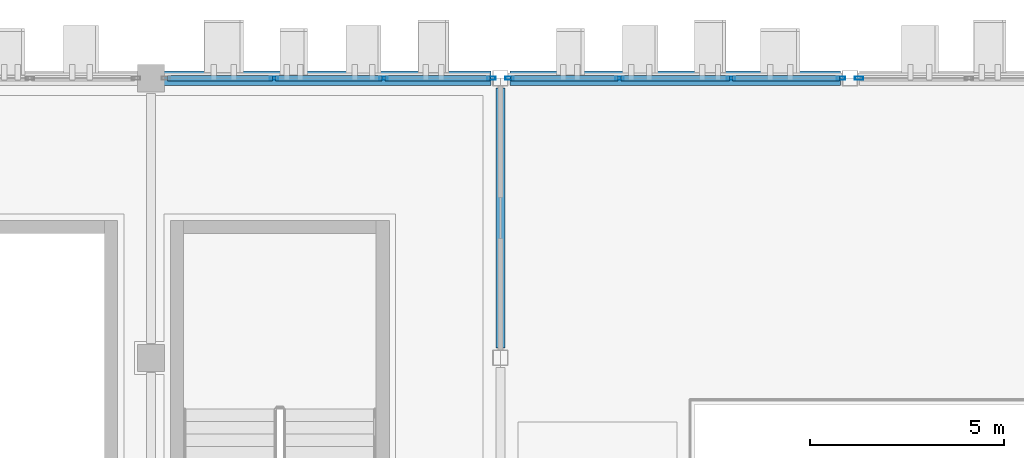
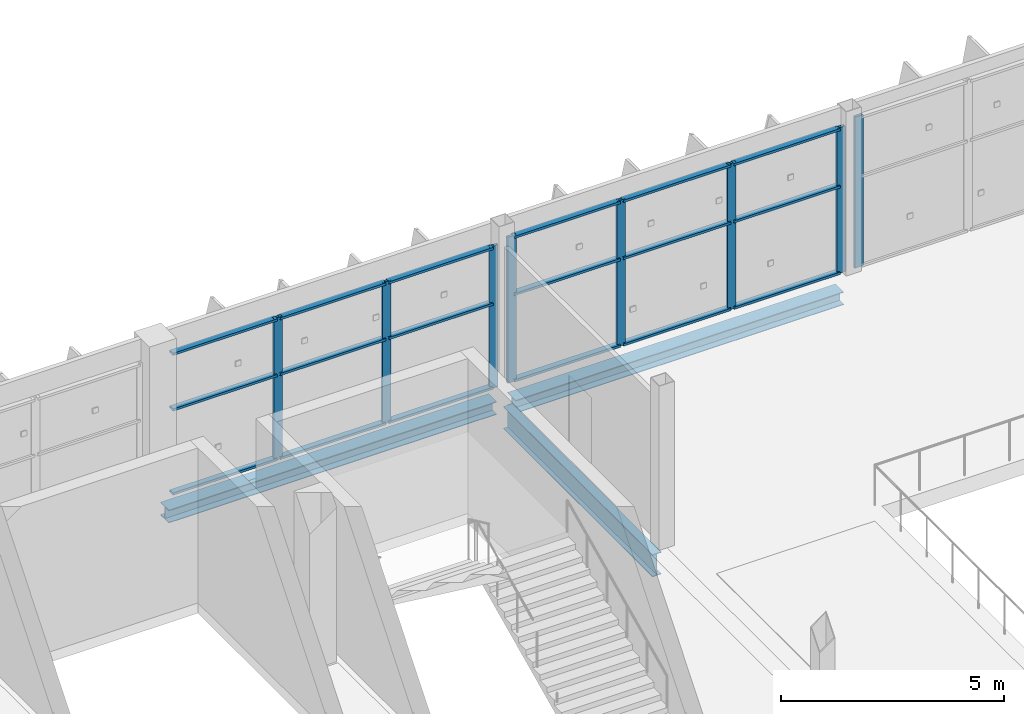
# One storey, part 80 of 151: 26 members, 3 beams, 3 elements without a shape of their own.
"""IFC4 building model written with IfcOpenShell, lengths in metres."""

from ifc_helpers import new_model, si_unit, direction, frame, origin, origin_2d, place, context, subcontext, project, spatial, hollow_rectangle, i_section, extrude, material, layer, layer_set, material_profile, profile_set, type_object, element, aggregate, save


model = new_model("IFC4")

# Units and contexts
model_context = context("Model", 3, precision=1e-05, world=origin(), true_north=direction((0.0, 1.0)))
body_context = subcontext(model_context, "Body", "Model", "MODEL_VIEW")
ifc_project = project(units=[si_unit("LENGTHUNIT", "METRE"), si_unit("AREAUNIT", "SQUARE_METRE"), si_unit("VOLUMEUNIT", "CUBIC_METRE"), si_unit("PLANEANGLEUNIT", "RADIAN"), si_unit("MASSUNIT", "GRAM", prefix="KILO")], contexts=[model_context])

# Site, building, storey
site_placement = place(None, origin())
site = spatial("IfcSite", under=ifc_project, at=site_placement, CompositionType="ELEMENT")
building_placement = place(site_placement, origin())
building = spatial("IfcBuilding", under=site, at=building_placement, Name="Celestram Park Convention Centre", CompositionType="ELEMENT")
storey_placement = place(building_placement, frame((0.0, 0.0, 10.800048828125)))
storey = spatial("IfcBuildingStorey", under=building, at=storey_placement, Name="L02", CompositionType="ELEMENT", Elevation=10.800048828125)

# Curtain wall, members
ifc_material_1 = material(Name="Anodised Aluminium Alloy 6063-T6", Category="aluminium")
ifc_layer_1 = layer(ifc_material_1, 0.179931640625)
ifc_layer_set_1 = layer_set([ifc_layer_1], Name="Anodised Aluminium Alloy 6063-T6")
curtain_wall_type_1 = type_object("IfcCurtainWallType", Name="ARC-CW-845X389", PredefinedType="NOTDEFINED", material=ifc_layer_set_1)
curtain_wall_1_placement = place(storey_placement, origin())
curtain_wall_1 = element("IfcCurtainWall", 1, at=curtain_wall_1_placement, inside=storey, type_object=curtain_wall_type_1, Name="Unitised curtain wall CU-L02-162", PredefinedType="NOTDEFINED")
ifc_material_profile_1 = material_profile(ifc_material_1, hollow_rectangle(XDim=0.074951171875, YDim=0.219970703125, WallThickness=0.00390625, at=origin_2d()), Name="ALU75X220X4")
ifc_profile_set_1 = profile_set([ifc_material_profile_1], Name="Anodised Aluminium Alloy 6063-T6")
member_type_1 = type_object("IfcMemberType", Name="ARC-CWM-180", PredefinedType="MULLION", material=ifc_profile_set_1)
member_1_placement = place(storey_placement, frame((147.166015625, 165.60009765625, 0.0), z_axis=(0.0, 0.0, 1.0), x_axis=(0.0, 1.0, 0.0)))
member_1 = element("IfcMember", 2, at=member_1_placement, type_object=member_type_1, Name="CW-84X38 mullion 2", PredefinedType="MULLION", context=body_context, shape_type="SweptSolid", body=[
    extrude(hollow_rectangle(XDim=0.074951171875, YDim=0.219970703125, WallThickness=0.00390625, at=origin_2d()), origin(), (0.0, 0.0, 1.0), 3.89404296875),
])
member_2_placement = place(storey_placement, frame((149.98388671875, 165.60009765625, 0.0), z_axis=(0.0, 0.0, 1.0), x_axis=(0.0, 1.0, 0.0)))
member_2 = element("IfcMember", 3, at=member_2_placement, type_object=member_type_1, Name="CW-84X38 mullion 3", PredefinedType="MULLION", context=body_context, shape_type="SweptSolid", body=[
    extrude(hollow_rectangle(XDim=0.074951171875, YDim=0.219970703125, WallThickness=0.00390625, at=origin_2d()), origin(), (0.0, 0.0, 1.0), 3.89404296875),
])
member_3_placement = place(storey_placement, frame((152.764404296875, 165.60009765625, 0.0), z_axis=(0.0, 0.0, 1.0), x_axis=(0.0, 1.0, 0.0)))
member_3 = element("IfcMember", 4, at=member_3_placement, type_object=member_type_1, Name="CW-84X38 mullion 4", PredefinedType="MULLION", context=body_context, shape_type="SweptSolid", body=[
    extrude(hollow_rectangle(XDim=0.074951171875, YDim=0.219970703125, WallThickness=0.00390625, at=origin_2d()), origin(), (0.0, 0.0, 1.0), 3.89404296875),
])

ifc_layer_2 = layer(ifc_material_1, 0.179931640625)
ifc_layer_set_2 = layer_set([ifc_layer_2], Name="Anodised Aluminium Alloy 6063-T6")
curtain_wall_type_2 = type_object("IfcCurtainWallType", Name="ARC-CW-860X400", PredefinedType="NOTDEFINED", material=ifc_layer_set_2)
curtain_wall_2_placement = place(storey_placement, origin())
curtain_wall_2 = element("IfcCurtainWall", 5, at=curtain_wall_2_placement, inside=storey, type_object=curtain_wall_type_2, Name="Unitised curtain wall CU-L02-163", PredefinedType="NOTDEFINED")
member_4_placement = place(storey_placement, frame((153.235595703125, 165.60009765625, 0.0), z_axis=(0.0, 0.0, 1.0), x_axis=(0.0, 1.0, 0.0)))
member_4 = element("IfcMember", 6, at=member_4_placement, type_object=member_type_1, Name="CW-86X40 mullion 1", PredefinedType="MULLION", context=body_context, shape_type="SweptSolid", body=[
    extrude(hollow_rectangle(XDim=0.074951171875, YDim=0.219970703125, WallThickness=0.00390625, at=origin_2d()), origin(), (0.0, 0.0, 1.0), 4.0),
])
member_5_placement = place(storey_placement, frame((156.06591796875, 165.60009765625, 0.0), z_axis=(0.0, 0.0, 1.0), x_axis=(0.0, 1.0, 0.0)))
member_5 = element("IfcMember", 7, at=member_5_placement, type_object=member_type_1, Name="CW-86X40 mullion 2", PredefinedType="MULLION", context=body_context, shape_type="SweptSolid", body=[
    extrude(hollow_rectangle(XDim=0.074951171875, YDim=0.219970703125, WallThickness=0.00390625, at=origin_2d()), origin(), (0.0, 0.0, 1.0), 4.0),
])
member_6_placement = place(storey_placement, frame((158.93408203125, 165.60009765625, 0.0), z_axis=(0.0, 0.0, 1.0), x_axis=(0.0, 1.0, 0.0)))
member_6 = element("IfcMember", 8, at=member_6_placement, type_object=member_type_1, Name="CW-86X40 mullion 3", PredefinedType="MULLION", context=body_context, shape_type="SweptSolid", body=[
    extrude(hollow_rectangle(XDim=0.074951171875, YDim=0.219970703125, WallThickness=0.00390625, at=origin_2d()), origin(), (0.0, 0.0, 1.0), 4.0),
])
member_7_placement = place(storey_placement, frame((161.764404296875, 165.60009765625, 0.0), z_axis=(0.0, 0.0, 1.0), x_axis=(0.0, 1.0, 0.0)))
member_7 = element("IfcMember", 9, at=member_7_placement, type_object=member_type_1, Name="CW-86X40 mullion 4", PredefinedType="MULLION", context=body_context, shape_type="SweptSolid", body=[
    extrude(hollow_rectangle(XDim=0.074951171875, YDim=0.219970703125, WallThickness=0.00390625, at=origin_2d()), origin(), (0.0, 0.0, 1.0), 4.0),
])

# Curtain wall, member
ifc_layer_3 = layer(ifc_material_1, 0.179931640625)
ifc_layer_set_3 = layer_set([ifc_layer_3], Name="Anodised Aluminium Alloy 6063-T6")
curtain_wall_type_3 = type_object("IfcCurtainWallType", Name="ARC-CW-860X414", PredefinedType="NOTDEFINED", material=ifc_layer_set_3)
curtain_wall_3_placement = place(storey_placement, origin())
curtain_wall_3 = element("IfcCurtainWall", 10, at=curtain_wall_3_placement, inside=storey, type_object=curtain_wall_type_3, Name="Unitised curtain wall CU-L02-164", PredefinedType="NOTDEFINED")
member_8_placement = place(storey_placement, frame((162.235595703125, 165.60009765625, 0.0), z_axis=(0.0, 0.0, 1.0), x_axis=(0.0, 1.0, 0.0)))
member_8 = element("IfcMember", 11, at=member_8_placement, type_object=member_type_1, Name="CW-86X41 mullion 1", PredefinedType="MULLION", context=body_context, shape_type="SweptSolid", body=[
    extrude(hollow_rectangle(XDim=0.074951171875, YDim=0.219970703125, WallThickness=0.00390625, at=origin_2d()), origin(), (0.0, 0.0, 1.0), 4.14404296875),
])
aggregate(curtain_wall_3, [member_8])

# Member
ifc_material_profile_2 = material_profile(ifc_material_1, hollow_rectangle(XDim=0.14990234375, YDim=0.06494140625, WallThickness=0.0029296875, at=origin_2d()), Name="ALU150X65X3")
ifc_profile_set_2 = profile_set([ifc_material_profile_2], Name="Anodised Aluminium Alloy 6063-T6")
member_type_2 = type_object("IfcMemberType", Name="ARC-CWT-150", PredefinedType="USERDEFINED", material=ifc_profile_set_2)
member_9_placement = place(storey_placement, frame((144.423095703125, 165.60009765625, 0.032470703125), z_axis=(1.0, 0.0, 0.0), x_axis=(0.0, 1.0, 0.0)))
member_9 = element("IfcMember", 12, at=member_9_placement, type_object=member_type_2, Name="CW-84X38 transom 1.1", ObjectType="TRANSOM", PredefinedType="USERDEFINED", context=body_context, shape_type="SweptSolid", body=[
    extrude(hollow_rectangle(XDim=0.14990234375, YDim=0.06494140625, WallThickness=0.0029296875, at=origin_2d()), origin(), (0.0, 0.0, 1.0), 2.705322265625),
])

member_10_placement = place(storey_placement, frame((144.423095703125, 165.60009765625, 2.3359375), z_axis=(1.0, 0.0, 0.0), x_axis=(0.0, 1.0, 0.0)))
member_10 = element("IfcMember", 13, at=member_10_placement, type_object=member_type_2, Name="CW-84X38 transom 1.2", ObjectType="TRANSOM", PredefinedType="USERDEFINED", context=body_context, shape_type="SweptSolid", body=[
    extrude(hollow_rectangle(XDim=0.14990234375, YDim=0.06494140625, WallThickness=0.0029296875, at=origin_2d()), origin(), (0.0, 0.0, 1.0), 2.705322265625),
])

member_11_placement = place(storey_placement, frame((144.423095703125, 165.60009765625, 3.861572265625), z_axis=(1.0, 0.0, 0.0), x_axis=(0.0, 1.0, 0.0)))
member_11 = element("IfcMember", 14, at=member_11_placement, type_object=member_type_2, Name="CW-84X38 transom 1.3", ObjectType="TRANSOM", PredefinedType="USERDEFINED", context=body_context, shape_type="SweptSolid", body=[
    extrude(hollow_rectangle(XDim=0.14990234375, YDim=0.06494140625, WallThickness=0.0029296875, at=origin_2d()), origin(), (0.0, 0.0, 1.0), 2.705322265625),
])

member_12_placement = place(storey_placement, frame((147.20361328125, 165.60009765625, 0.032470703125), z_axis=(1.0, 0.0, 0.0), x_axis=(0.0, 1.0, 0.0)))
member_12 = element("IfcMember", 15, at=member_12_placement, type_object=member_type_2, Name="CW-84X38 transom 2.1", ObjectType="TRANSOM", PredefinedType="USERDEFINED", context=body_context, shape_type="SweptSolid", body=[
    extrude(hollow_rectangle(XDim=0.14990234375, YDim=0.06494140625, WallThickness=0.0029296875, at=origin_2d()), origin(), (0.0, 0.0, 1.0), 2.742919921875),
])

member_13_placement = place(storey_placement, frame((147.20361328125, 165.60009765625, 2.3359375), z_axis=(1.0, 0.0, 0.0), x_axis=(0.0, 1.0, 0.0)))
member_13 = element("IfcMember", 16, at=member_13_placement, type_object=member_type_2, Name="CW-84X38 transom 2.2", ObjectType="TRANSOM", PredefinedType="USERDEFINED", context=body_context, shape_type="SweptSolid", body=[
    extrude(hollow_rectangle(XDim=0.14990234375, YDim=0.06494140625, WallThickness=0.0029296875, at=origin_2d()), origin(), (0.0, 0.0, 1.0), 2.742919921875),
])

member_14_placement = place(storey_placement, frame((147.20361328125, 165.60009765625, 3.861572265625), z_axis=(1.0, 0.0, 0.0), x_axis=(0.0, 1.0, 0.0)))
member_14 = element("IfcMember", 17, at=member_14_placement, type_object=member_type_2, Name="CW-84X38 transom 2.3", ObjectType="TRANSOM", PredefinedType="USERDEFINED", context=body_context, shape_type="SweptSolid", body=[
    extrude(hollow_rectangle(XDim=0.14990234375, YDim=0.06494140625, WallThickness=0.0029296875, at=origin_2d()), origin(), (0.0, 0.0, 1.0), 2.742919921875),
])

member_15_placement = place(storey_placement, frame((150.021484375, 165.60009765625, 0.032470703125), z_axis=(1.0, 0.0, 0.0), x_axis=(0.0, 1.0, 0.0)))
member_15 = element("IfcMember", 18, at=member_15_placement, type_object=member_type_2, Name="CW-84X38 transom 3.1", ObjectType="TRANSOM", PredefinedType="USERDEFINED", context=body_context, shape_type="SweptSolid", body=[
    extrude(hollow_rectangle(XDim=0.14990234375, YDim=0.06494140625, WallThickness=0.0029296875, at=origin_2d()), origin(), (0.0, 0.0, 1.0), 2.70556640625),
])

member_16_placement = place(storey_placement, frame((150.021484375, 165.60009765625, 2.3359375), z_axis=(1.0, 0.0, 0.0), x_axis=(0.0, 1.0, 0.0)))
member_16 = element("IfcMember", 19, at=member_16_placement, type_object=member_type_2, Name="CW-84X38 transom 3.2", ObjectType="TRANSOM", PredefinedType="USERDEFINED", context=body_context, shape_type="SweptSolid", body=[
    extrude(hollow_rectangle(XDim=0.14990234375, YDim=0.06494140625, WallThickness=0.0029296875, at=origin_2d()), origin(), (0.0, 0.0, 1.0), 2.70556640625),
])

member_17_placement = place(storey_placement, frame((150.021484375, 165.60009765625, 3.861572265625), z_axis=(1.0, 0.0, 0.0), x_axis=(0.0, 1.0, 0.0)))
member_17 = element("IfcMember", 20, at=member_17_placement, type_object=member_type_2, Name="CW-84X38 transom 3.3", ObjectType="TRANSOM", PredefinedType="USERDEFINED", context=body_context, shape_type="SweptSolid", body=[
    extrude(hollow_rectangle(XDim=0.14990234375, YDim=0.06494140625, WallThickness=0.0029296875, at=origin_2d()), origin(), (0.0, 0.0, 1.0), 2.70556640625),
])

aggregate(curtain_wall_1, [member_1, member_2, member_3, member_9, member_10, member_11, member_12, member_13, member_14, member_15, member_16, member_17])

member_18_placement = place(storey_placement, frame((153.27294921875, 165.60009765625, 0.032470703125), z_axis=(1.0, 0.0, 0.0), x_axis=(0.0, 1.0, 0.0)))
member_18 = element("IfcMember", 21, at=member_18_placement, type_object=member_type_2, Name="CW-86X40 transom 1.1", ObjectType="TRANSOM", PredefinedType="USERDEFINED", context=body_context, shape_type="SweptSolid", body=[
    extrude(hollow_rectangle(XDim=0.14990234375, YDim=0.06494140625, WallThickness=0.0029296875, at=origin_2d()), origin(), (0.0, 0.0, 1.0), 2.755615234375),
])

member_19_placement = place(storey_placement, frame((153.27294921875, 165.60009765625, 2.39990234375), z_axis=(1.0, 0.0, 0.0), x_axis=(0.0, 1.0, 0.0)))
member_19 = element("IfcMember", 22, at=member_19_placement, type_object=member_type_2, Name="CW-86X40 transom 1.2", ObjectType="TRANSOM", PredefinedType="USERDEFINED", context=body_context, shape_type="SweptSolid", body=[
    extrude(hollow_rectangle(XDim=0.14990234375, YDim=0.06494140625, WallThickness=0.0029296875, at=origin_2d()), origin(), (0.0, 0.0, 1.0), 2.755615234375),
])

member_20_placement = place(storey_placement, frame((153.27294921875, 165.60009765625, 3.967529296875), z_axis=(1.0, 0.0, 0.0), x_axis=(0.0, 1.0, 0.0)))
member_20 = element("IfcMember", 23, at=member_20_placement, type_object=member_type_2, Name="CW-86X40 transom 1.3", ObjectType="TRANSOM", PredefinedType="USERDEFINED", context=body_context, shape_type="SweptSolid", body=[
    extrude(hollow_rectangle(XDim=0.14990234375, YDim=0.06494140625, WallThickness=0.0029296875, at=origin_2d()), origin(), (0.0, 0.0, 1.0), 2.755615234375),
])

member_21_placement = place(storey_placement, frame((156.103515625, 165.60009765625, 0.032470703125), z_axis=(1.0, 0.0, 0.0), x_axis=(0.0, 1.0, 0.0)))
member_21 = element("IfcMember", 24, at=member_21_placement, type_object=member_type_2, Name="CW-86X40 transom 2.1", ObjectType="TRANSOM", PredefinedType="USERDEFINED", context=body_context, shape_type="SweptSolid", body=[
    extrude(hollow_rectangle(XDim=0.14990234375, YDim=0.06494140625, WallThickness=0.0029296875, at=origin_2d()), origin(), (0.0, 0.0, 1.0), 2.79296875),
])

member_22_placement = place(storey_placement, frame((156.103515625, 165.60009765625, 2.39990234375), z_axis=(1.0, 0.0, 0.0), x_axis=(0.0, 1.0, 0.0)))
member_22 = element("IfcMember", 25, at=member_22_placement, type_object=member_type_2, Name="CW-86X40 transom 2.2", ObjectType="TRANSOM", PredefinedType="USERDEFINED", context=body_context, shape_type="SweptSolid", body=[
    extrude(hollow_rectangle(XDim=0.14990234375, YDim=0.06494140625, WallThickness=0.0029296875, at=origin_2d()), origin(), (0.0, 0.0, 1.0), 2.79296875),
])

member_23_placement = place(storey_placement, frame((156.103515625, 165.60009765625, 3.967529296875), z_axis=(1.0, 0.0, 0.0), x_axis=(0.0, 1.0, 0.0)))
member_23 = element("IfcMember", 26, at=member_23_placement, type_object=member_type_2, Name="CW-86X40 transom 2.3", ObjectType="TRANSOM", PredefinedType="USERDEFINED", context=body_context, shape_type="SweptSolid", body=[
    extrude(hollow_rectangle(XDim=0.14990234375, YDim=0.06494140625, WallThickness=0.0029296875, at=origin_2d()), origin(), (0.0, 0.0, 1.0), 2.79296875),
])

member_24_placement = place(storey_placement, frame((158.971435546875, 165.60009765625, 0.032470703125), z_axis=(1.0, 0.0, 0.0), x_axis=(0.0, 1.0, 0.0)))
member_24 = element("IfcMember", 27, at=member_24_placement, type_object=member_type_2, Name="CW-86X40 transom 3.1", ObjectType="TRANSOM", PredefinedType="USERDEFINED", context=body_context, shape_type="SweptSolid", body=[
    extrude(hollow_rectangle(XDim=0.14990234375, YDim=0.06494140625, WallThickness=0.0029296875, at=origin_2d()), origin(), (0.0, 0.0, 1.0), 2.755615234375),
])

member_25_placement = place(storey_placement, frame((158.971435546875, 165.60009765625, 2.39990234375), z_axis=(1.0, 0.0, 0.0), x_axis=(0.0, 1.0, 0.0)))
member_25 = element("IfcMember", 28, at=member_25_placement, type_object=member_type_2, Name="CW-86X40 transom 3.2", ObjectType="TRANSOM", PredefinedType="USERDEFINED", context=body_context, shape_type="SweptSolid", body=[
    extrude(hollow_rectangle(XDim=0.14990234375, YDim=0.06494140625, WallThickness=0.0029296875, at=origin_2d()), origin(), (0.0, 0.0, 1.0), 2.755615234375),
])

member_26_placement = place(storey_placement, frame((158.971435546875, 165.60009765625, 3.967529296875), z_axis=(1.0, 0.0, 0.0), x_axis=(0.0, 1.0, 0.0)))
member_26 = element("IfcMember", 29, at=member_26_placement, type_object=member_type_2, Name="CW-86X40 transom 3.3", ObjectType="TRANSOM", PredefinedType="USERDEFINED", context=body_context, shape_type="SweptSolid", body=[
    extrude(hollow_rectangle(XDim=0.14990234375, YDim=0.06494140625, WallThickness=0.0029296875, at=origin_2d()), origin(), (0.0, 0.0, 1.0), 2.755615234375),
])

aggregate(curtain_wall_2, [member_4, member_5, member_6, member_7, member_18, member_19, member_20, member_21, member_22, member_23, member_24, member_25, member_26])

# Beams
ifc_material_2 = material(Name="Steel ASTM A992 Grade 50", Category="steel")
ifc_material_profile_3 = material_profile(ifc_material_2, i_section(OverallWidth=0.22900390625, OverallDepth=0.612060546875, WebThickness=0.011962890625, FlangeThickness=0.01953125, at=origin_2d()), Name="W24X84")
ifc_profile_set_3 = profile_set([ifc_material_profile_3], Name="Steel ASTM A992 Grade 50")
beam_type_1 = type_object("IfcBeamType", Name="STR-BM-W24X84", PredefinedType="BEAM", material=ifc_profile_set_3)
beam_placement = place(storey_placement, frame((153.0, 158.64794921875, -0.72607421875), z_axis=(0.0, 1.0, 0.0), x_axis=(-1.0, 0.0, 0.0)))
element("IfcBeam", 30, at=beam_placement, inside=storey, type_object=beam_type_1, Name="Primary Y-girder BG-L02-0282", PredefinedType="BEAM", context=body_context, shape_type="SweptSolid", body=[
    extrude(i_section(OverallWidth=0.22900390625, OverallDepth=0.612060546875, WebThickness=0.011962890625, FlangeThickness=0.01953125, at=origin_2d()), origin(), (0.0, 0.0, 1.0), 6.7041015625),
])
ifc_material_profile_4 = material_profile(ifc_material_2, i_section(OverallWidth=0.367919921875, OverallDepth=0.35595703125, WebThickness=0.01123046875, FlangeThickness=0.01806640625, at=origin_2d()), Name="W14X90")
ifc_profile_set_4 = profile_set([ifc_material_profile_4], Name="Steel ASTM A992 Grade 50")
beam_type_2 = type_object("IfcBeamType", Name="STR-SPN-W14X90", PredefinedType="SPANDREL", material=ifc_profile_set_4)
for number, where, z_axis, x_axis, name in (
    (31, (144.248046875, 165.60009765625, -0.4580078125), (1.0, 0.0, 0.0), (0.0, 1.0, 0.0), "Primary X-girder BG-L02-0264"),
    (32, (153.248046875, 165.60009765625, -0.59814453125), (1.0, 0.0, 0.0), (0.0, 1.0, 0.0), "Primary X-girder BG-L02-0283"),
):
    element("IfcBeam", number, at=place(storey_placement, frame(where, z_axis=z_axis, x_axis=x_axis)), inside=storey, type_object=beam_type_2, Name=name, PredefinedType="SPANDREL", context=body_context, shape_type="SweptSolid", body=[
        extrude(i_section(OverallWidth=0.367919921875, OverallDepth=0.35595703125, WebThickness=0.01123046875, FlangeThickness=0.01806640625, at=origin_2d()), origin(), (0.0, 0.0, 1.0), 8.50390625),
    ])

save(model, "model.ifc")
